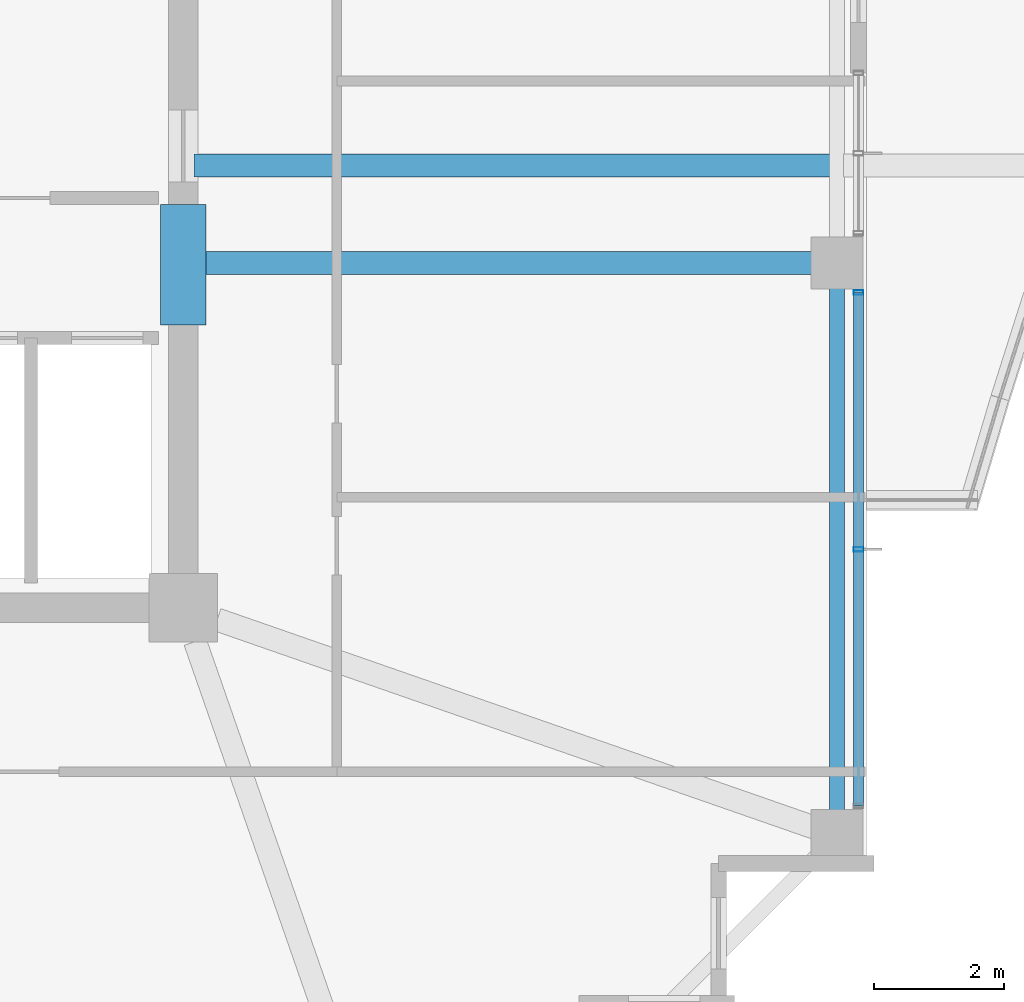
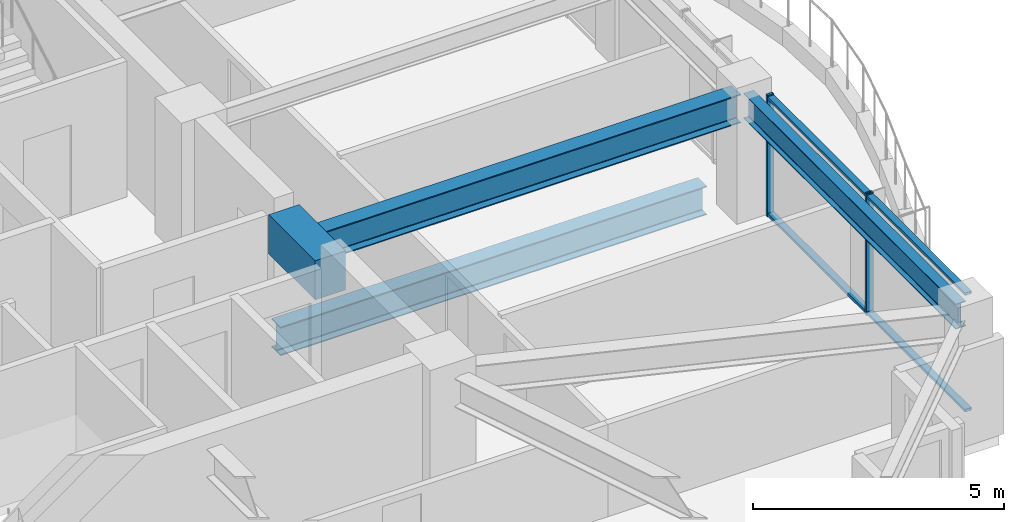
# One storey, part 12 of 34: 4 beams, 4 members, 1 element without a shape of its own.
"""IFC4 building model written with IfcOpenShell, lengths in metres."""

from ifc_helpers import new_model, si_unit, direction, frame, origin, origin_2d, place, context, subcontext, project, spatial, rectangle, hollow_rectangle, i_section, extrude, material, material_profile, profile_set, type_object, element, aggregate, save


model = new_model("IFC4")

# Units and contexts
model_context = context("Model", 3, precision=1e-05, world=origin(), true_north=direction((0.0, 1.0)))
body_context = subcontext(model_context, "Body", "Model", "MODEL_VIEW")
ifc_project = project(units=[si_unit("LENGTHUNIT", "METRE"), si_unit("AREAUNIT", "SQUARE_METRE"), si_unit("VOLUMEUNIT", "CUBIC_METRE"), si_unit("PLANEANGLEUNIT", "RADIAN"), si_unit("MASSUNIT", "GRAM", prefix="KILO")], contexts=[model_context])

# Site, building, storey
site_placement = place(None, origin())
site = spatial("IfcSite", under=ifc_project, at=site_placement, CompositionType="ELEMENT")
building_placement = place(site_placement, origin())
building = spatial("IfcBuilding", under=site, at=building_placement, Name="Kolvaren Belvedere", CompositionType="ELEMENT")
storey_placement = place(building_placement, frame((0.0, 0.0, 229.5)))
storey = spatial("IfcBuildingStorey", under=building, at=storey_placement, Name="L67", CompositionType="ELEMENT", Elevation=229.5)

# Beams
ifc_material_1 = material(Name="Structural steel ASTM A992 Grade 50", Category="steel")
ifc_material_profile_1 = material_profile(ifc_material_1, i_section(OverallWidth=0.35498046875, OverallDepth=0.696044921875, WebThickness=0.015380859375, FlangeThickness=0.02490234375, FilletRadius=0.02197265625, at=origin_2d()), Name="W27X146")
ifc_profile_set_1 = profile_set([ifc_material_profile_1], Name="Structural steel ASTM A992 Grade 50")
beam_type_1 = type_object("IfcBeamType", Name="BM-GIRD-W27X146", PredefinedType="BEAM", material=ifc_profile_set_1)
beam_1_placement = place(storey_placement, frame((10.06494140625, -3.10009765625, -0.568115234375), z_axis=(1.0, 0.0, 0.0), x_axis=(0.0, 1.0, 0.0)))
element("IfcBeam", 1, at=beam_1_placement, inside=storey, type_object=beam_type_1, Name="L67 Balcony Interior Back-Span Girder BAL-E-1", PredefinedType="BEAM", context=body_context, shape_type="SweptSolid", body=[
    extrude(i_section(OverallWidth=0.35498046875, OverallDepth=0.696044921875, WebThickness=0.015380859375, FlangeThickness=0.02490234375, FilletRadius=0.02197265625, at=origin_2d()), origin(), (0.0, 0.0, 1.0), 9.7900390625),
])
beam_2_placement = place(storey_placement, frame((10.125, -4.60009765625, 2.60205078125), z_axis=(1.0, 0.0, 0.0), x_axis=(0.0, 1.0, 0.0)))
element("IfcBeam", 2, at=beam_2_placement, inside=storey, type_object=beam_type_1, Name="L67 East Radial Girder M", PredefinedType="BEAM", context=body_context, shape_type="SweptSolid", body=[
    extrude(i_section(OverallWidth=0.35498046875, OverallDepth=0.696044921875, WebThickness=0.015380859375, FlangeThickness=0.02490234375, FilletRadius=0.02197265625, at=origin_2d()), origin(), (0.0, 0.0, 1.0), 9.64501953125),
])
ifc_material_2 = material(Name="Concrete C60/75", Category="concrete")
ifc_material_profile_2 = material_profile(ifc_material_2, rectangle(XDim=0.699951171875, YDim=0.949951171875, at=origin_2d()), Name="RC 700X950")
ifc_profile_set_2 = profile_set([ifc_material_profile_2], Name="Concrete C60/75")
beam_type_2 = type_object("IfcBeamType", Name="BM-LINT-950", PredefinedType="LINTEL", material=ifc_profile_set_2)
beam_3_placement = place(storey_placement, frame((9.89990234375, -5.550048828125, 2.47509765625), z_axis=(0.0, 1.0, 0.0), x_axis=(-1.0, 0.0, 0.0)))
element("IfcBeam", 3, at=beam_3_placement, inside=storey, type_object=beam_type_2, Name="L67 East Core Coupling Lintel", PredefinedType="LINTEL", context=body_context, shape_type="SweptSolid", body=[
    extrude(rectangle(XDim=0.699951171875, YDim=0.949951171875, at=origin_2d()), origin(), (0.0, 0.0, 1.0), 1.85009765625),
])
ifc_material_3 = material(Name="Structural steel ASTM A992 Grade 50", Category="steel")
ifc_material_profile_3 = material_profile(ifc_material_3, i_section(OverallWidth=0.22900390625, OverallDepth=0.612060546875, WebThickness=0.011962890625, FlangeThickness=0.01953125, FilletRadius=0.01806640625, at=origin_2d()), Name="W24X84")
ifc_profile_set_3 = profile_set([ifc_material_profile_3], Name="Structural steel ASTM A992 Grade 50")
beam_type_3 = type_object("IfcBeamType", Name="BM-SPAN-W24X84", PredefinedType="SPANDREL", material=ifc_profile_set_3)
beam_4_placement = place(storey_placement, frame((19.949951171875, -13.219970703125, 2.64404296875), z_axis=(0.0, 1.0, 0.0), x_axis=(-1.0, 0.0, 0.0)))
element("IfcBeam", 4, at=beam_4_placement, inside=storey, type_object=beam_type_3, Name="L67 Perimeter Spandrel E1-E2", PredefinedType="SPANDREL", context=body_context, shape_type="SweptSolid", body=[
    extrude(i_section(OverallWidth=0.22900390625, OverallDepth=0.612060546875, WebThickness=0.011962890625, FlangeThickness=0.01953125, FilletRadius=0.01806640625, at=origin_2d()), origin(), (0.0, 0.0, 1.0), 8.43994140625),
])

# Curtain wall, members
ifc_material_4 = material(Name="Anodised pale-metal aluminium AA 6063-T6", Category="aluminium")
curtain_wall_type = type_object("IfcCurtainWallType", Name="CW-Z5-HIGH", PredefinedType="NOTDEFINED", material=ifc_material_4)
curtain_wall_placement = place(storey_placement, origin())
curtain_wall = element("IfcCurtainWall", 5, at=curtain_wall_placement, inside=storey, type_object=curtain_wall_type, Name="L67 Unitised Curtain Wall FCW-L67-E2-B2", PredefinedType="NOTDEFINED")
ifc_material_5 = material(Name="Anodised pale-metal aluminium AA 6063-T6", Category="aluminium")
ifc_material_profile_4 = material_profile(ifc_material_5, hollow_rectangle(XDim=0.070068359375, YDim=0.14990234375, WallThickness=0.004150390625, at=origin_2d()), Name="ALU-MUL-150X70")
ifc_profile_set_4 = profile_set([ifc_material_profile_4], Name="Anodised pale-metal aluminium AA 6063-T6")
member_type_1 = type_object("IfcMemberType", Name="CW-MUL-150", PredefinedType="MULLION", material=ifc_profile_set_4)
member_1_placement = place(storey_placement, frame((20.280029296875, -5.054931640625, 0.0), z_axis=(0.0, 0.0, 1.0), x_axis=(0.0, 1.0, 0.0)))
member_1 = element("IfcMember", 6, at=member_1_placement, type_object=member_type_1, Name="FCW-L67-E2-B2 Unitised Mullion 1", PredefinedType="MULLION", context=body_context, shape_type="SweptSolid", body=[
    extrude(hollow_rectangle(XDim=0.070068359375, YDim=0.14990234375, WallThickness=0.004150390625, at=origin_2d()), origin(), (0.0, 0.0, 1.0), 2.949951171875),
])
member_2_placement = place(storey_placement, frame((20.280029296875, -9.0, 0.0), z_axis=(0.0, 0.0, 1.0), x_axis=(0.0, 1.0, 0.0)))
member_2 = element("IfcMember", 7, at=member_2_placement, type_object=member_type_1, Name="FCW-L67-E2-B2 Unitised Mullion 2", PredefinedType="MULLION", context=body_context, shape_type="SweptSolid", body=[
    extrude(hollow_rectangle(XDim=0.070068359375, YDim=0.14990234375, WallThickness=0.004150390625, at=origin_2d()), origin(), (0.0, 0.0, 1.0), 2.949951171875),
])
ifc_material_6 = material(Name="Anodised pale-metal aluminium AA 6063-T6", Category="aluminium")
ifc_material_profile_5 = material_profile(ifc_material_6, hollow_rectangle(XDim=0.06494140625, YDim=0.14990234375, WallThickness=0.00390625, at=origin_2d()), Name="ALU-TRN-150X65")
ifc_profile_set_5 = profile_set([ifc_material_profile_5], Name="Anodised pale-metal aluminium AA 6063-T6")
member_type_2 = type_object("IfcMemberType", Name="CW-TRN-150", PredefinedType="USERDEFINED", material=ifc_profile_set_5)
member_3_placement = place(storey_placement, frame((20.280029296875, -5.054931640625, 0.06005859375), z_axis=(0.0, -1.0, 0.0), x_axis=(0.0, 0.0, 1.0)))
member_3 = element("IfcMember", 8, at=member_3_placement, type_object=member_type_2, Name="FCW-L67-E2-B2 Sill Transom", ObjectType="TRANSOM", PredefinedType="USERDEFINED", context=body_context, shape_type="SweptSolid", body=[
    extrude(hollow_rectangle(XDim=0.06494140625, YDim=0.14990234375, WallThickness=0.00390625, at=origin_2d()), origin(), (0.0, 0.0, 1.0), 7.89013671875),
])
member_4_placement = place(storey_placement, frame((20.280029296875, -5.054931640625, 2.889892578125), z_axis=(0.0, -1.0, 0.0), x_axis=(0.0, 0.0, 1.0)))
member_4 = element("IfcMember", 9, at=member_4_placement, type_object=member_type_2, Name="FCW-L67-E2-B2 Head Transom", ObjectType="TRANSOM", PredefinedType="USERDEFINED", context=body_context, shape_type="SweptSolid", body=[
    extrude(hollow_rectangle(XDim=0.06494140625, YDim=0.14990234375, WallThickness=0.00390625, at=origin_2d()), origin(), (0.0, 0.0, 1.0), 7.89013671875),
])
aggregate(curtain_wall, [member_1, member_2, member_3, member_4])

save(model, "model.ifc")
